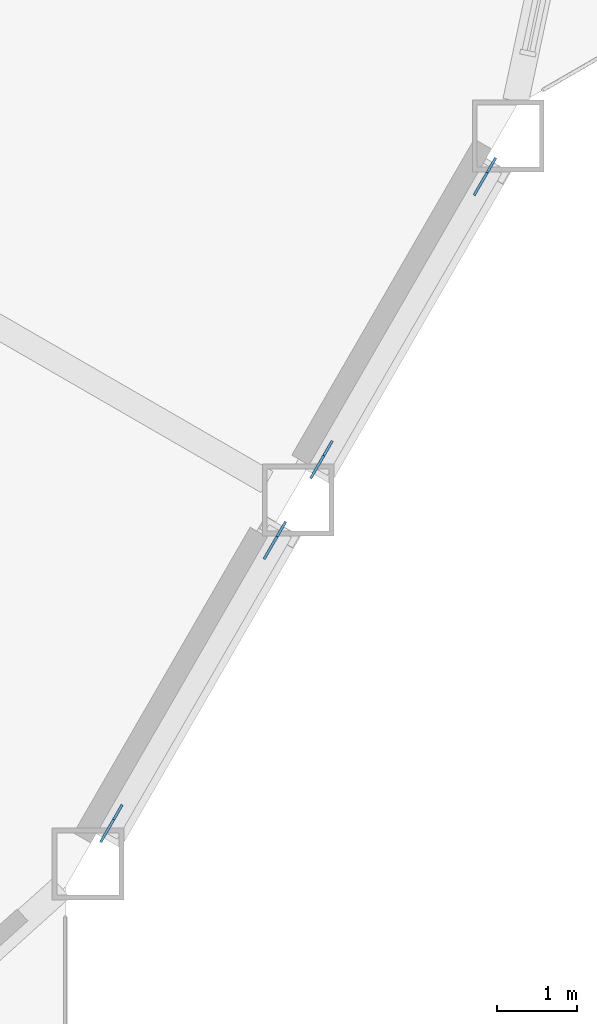
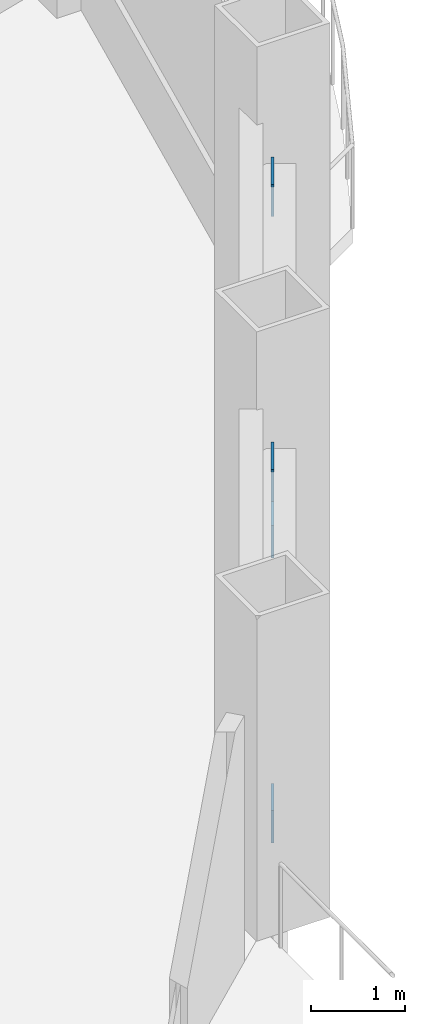
# One storey, part 15 of 21: 4 discrete accessories.
"""IFC4 building model written with IfcOpenShell, lengths in metres."""

from ifc_helpers import new_model, si_unit, direction, frame, origin, origin_2d, place, context, subcontext, project, spatial, rectangle, extrude, material, material_profile, profile_set, type_object, element, save


model = new_model("IFC4")

# Units and contexts
model_context = context("Model", 3, precision=1e-05, world=origin(), true_north=direction((0.0, 1.0)))
body_context = subcontext(model_context, "Body", "Model", "MODEL_VIEW")
ifc_project = project(units=[si_unit("LENGTHUNIT", "METRE"), si_unit("AREAUNIT", "SQUARE_METRE"), si_unit("VOLUMEUNIT", "CUBIC_METRE"), si_unit("PLANEANGLEUNIT", "RADIAN"), si_unit("MASSUNIT", "GRAM", prefix="KILO")], contexts=[model_context])

# Site, building, storey
site_placement = place(None, origin())
site = spatial("IfcSite", under=ifc_project, at=site_placement, CompositionType="ELEMENT")
building_placement = place(site_placement, origin())
building = spatial("IfcBuilding", under=site, at=building_placement, Name="Cormorant Prow Tower", CompositionType="ELEMENT")
storey_placement = place(building_placement, frame((0.0, 0.0, 124.800048828125)))
storey = spatial("IfcBuildingStorey", under=building, at=storey_placement, Name="L26", CompositionType="ELEMENT", Elevation=124.800048828125)

# Discrete accessories
ifc_material = material(Name="Structural steel ASTM A500 Gr C", Category="steel")
ifc_material_profile = material_profile(ifc_material, rectangle(XDim=0.031982421875, YDim=0.60791015625, at=origin_2d()), Name="Gusset plate 32x608")
ifc_profile_set = profile_set([ifc_material_profile], Name="Structural steel ASTM A500 Gr C")
discrete_accessory_type = type_object("IfcDiscreteAccessoryType", Name="Gusset plate 32x608", PredefinedType="BRACKET", material=ifc_profile_set)
discrete_accessory_1_placement = place(storey_placement, frame((25.8740234375, -20.158935546875, 0.88232421875), z_axis=(-0.467903125124, -0.810288273314, -0.352844979601), x_axis=(0.865987003449, -0.500066505434, 0.0)))
element("IfcDiscreteAccessory", 1, at=discrete_accessory_1_placement, inside=storey, type_object=discrete_accessory_type, Name="Gusset plate GP1 L26.ESE00.g0", PredefinedType="BRACKET", context=body_context, shape_type="SweptSolid", body=[
    extrude(rectangle(XDim=0.031982421875, YDim=0.60791015625, at=origin_2d()), origin(), (0.0, 0.0, 1.0), 0.35009765625),
])
discrete_accessory_2_placement = place(storey_placement, frame((27.76025390625, -16.8916015625, 2.306396484375), z_axis=(0.468167615655, 0.810048586848, 0.353044431477), x_axis=(-0.865800459427, 0.500389412813, 0.0)))
element("IfcDiscreteAccessory", 2, at=discrete_accessory_2_placement, inside=storey, type_object=discrete_accessory_type, Name="Gusset plate GP1 L26.ESE00.g1", PredefinedType="BRACKET", context=body_context, shape_type="SweptSolid", body=[
    extrude(rectangle(XDim=0.031982421875, YDim=0.60791015625, at=origin_2d()), origin(), (0.0, 0.0, 1.0), 0.349853515625),
])
for number, where, z_axis, x_axis, name in (
    (3, (28.5087890625, -15.59521484375, 0.88232421875), (-0.467903125124, -0.810288273314, -0.352844979601), (0.865987003449, -0.500066505434, 0.0), "Gusset plate GP1 L26.ESE01.g0"),
    (4, (30.39501953125, -12.328125, 2.306396484375), (0.467903125124, 0.810288273314, 0.352844979601), (-0.865987003449, 0.500066505434, 0.0), "Gusset plate GP1 L26.ESE01.g1"),
):
    element("IfcDiscreteAccessory", number, at=place(storey_placement, frame(where, z_axis=z_axis, x_axis=x_axis)), inside=storey, type_object=discrete_accessory_type, Name=name, PredefinedType="BRACKET", context=body_context, shape_type="SweptSolid", body=[
        extrude(rectangle(XDim=0.031982421875, YDim=0.60791015625, at=origin_2d()), origin(), (0.0, 0.0, 1.0), 0.35009765625),
    ])

save(model, "model.ifc")
